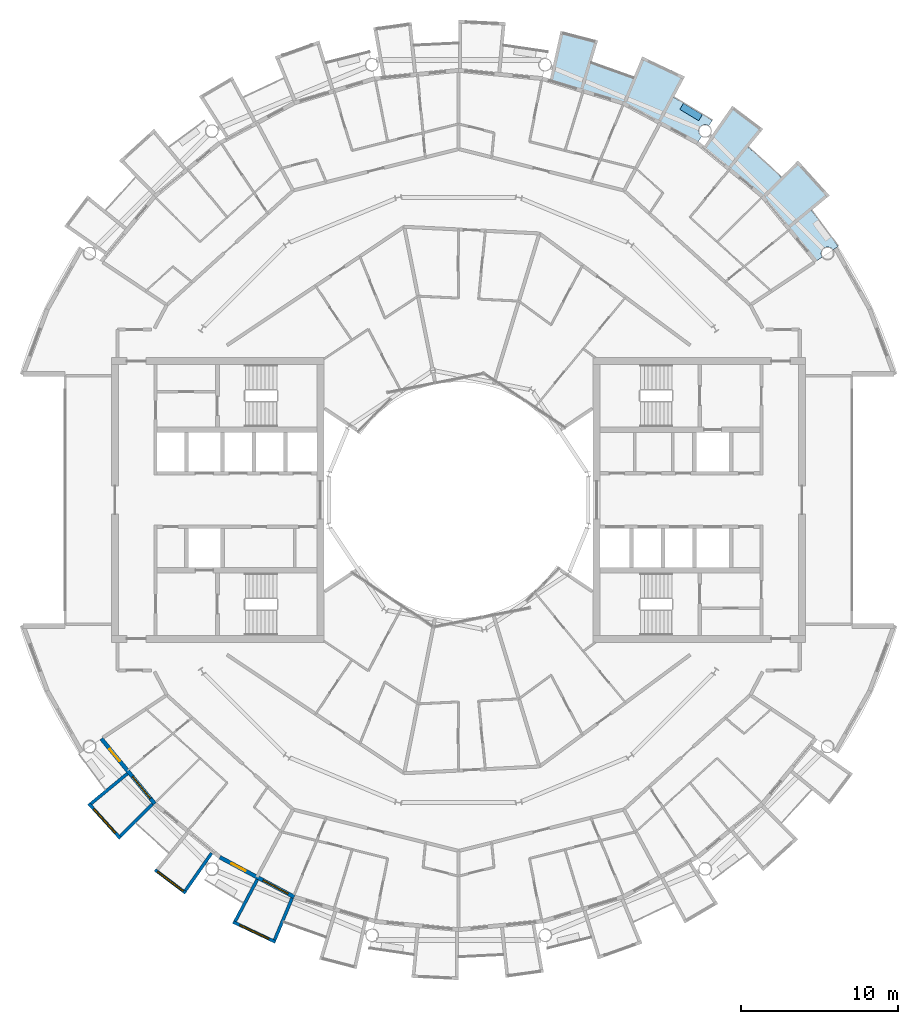
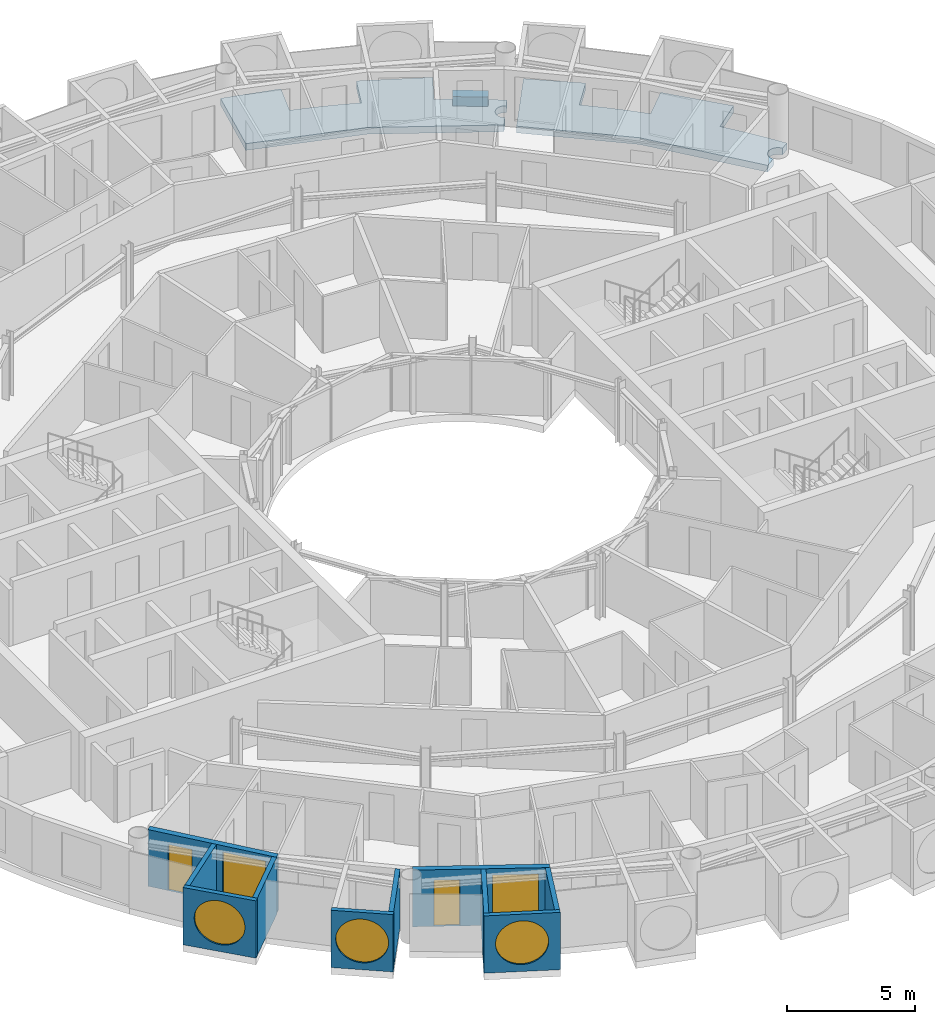
# One storey, part 14 of 29: 10 walls, 5 windows, 3 slabs, 2 doors, 7 openings.
"""IFC4 building model written with IfcOpenShell, lengths in metres."""

from ifc_helpers import new_model, si_unit, direction, frame, frame_2d, origin, place, context, subcontext, project, spatial, polyline, rectangle, circle, outline, extrude, material, layer, layer_set, type_object, element, fill, save


model = new_model("IFC4")

# Units and contexts
model_context = context("Model", 3, precision=1e-05, world=origin(), true_north=direction((0.0, 1.0)))
body_context = subcontext(model_context, "Body", "Model", "MODEL_VIEW")
ifc_project = project(units=[si_unit("LENGTHUNIT", "METRE"), si_unit("AREAUNIT", "SQUARE_METRE"), si_unit("VOLUMEUNIT", "CUBIC_METRE"), si_unit("PLANEANGLEUNIT", "RADIAN"), si_unit("MASSUNIT", "GRAM", prefix="KILO")], contexts=[model_context])

# Site, building, storey
site_placement = place(None, origin())
site = spatial("IfcSite", under=ifc_project, at=site_placement, CompositionType="ELEMENT")
building_placement = place(site_placement, origin())
building = spatial("IfcBuilding", under=site, at=building_placement, Name="Maasbend Ring Residences", CompositionType="ELEMENT")
storey_placement = place(building_placement, frame((0.0, 0.0, 190.199951171875)))
storey = spatial("IfcBuildingStorey", under=building, at=storey_placement, Name="L54", CompositionType="ELEMENT", Elevation=190.199951171875)

# Slabs
ifc_material_1 = material(Name="Planting with climbing greenery")
ifc_layer_1 = layer(ifc_material_1, 0.449951171875)
ifc_layer_set_1 = layer_set([ifc_layer_1], Name="PLANTER-LG")
slab_type_1 = type_object("IfcSlabType", Name="PLANTER-LG", PredefinedType="USERDEFINED", material=ifc_layer_set_1)
slab_1_placement = place(storey_placement, frame((0.0, 0.0, -0.030029296875)))
element("IfcSlab", 1, at=slab_1_placement, inside=storey, type_object=slab_type_1, Name="Planter with climbing greenery 2", ObjectType="PLANTER", PredefinedType="USERDEFINED", context=body_context, shape_type="SweptSolid", body=[
    extrude(outline(polyline([(15.490966796875, 24.48388671875), (14.291015625, 25.2041015625), (14.05908203125, 24.818115234375), (15.260009765625, 24.097900390625), (15.490966796875, 24.48388671875)])), origin(), (0.0, 0.0, 1.0), 0.4501953125),
])
ifc_material_2 = material(Name="Concrete C40/50", Category="concrete")
ifc_layer_2 = layer(ifc_material_2, 0.199951171875)
ifc_layer_set_2 = layer_set([ifc_layer_2], Name="Concrete C40/50")
slab_type_2 = type_object("IfcSlabType", Name="SL-LOGGIA", PredefinedType="FLOOR", material=ifc_layer_set_2)
slab_2_placement = place(storey_placement, frame((0.0, 0.0, -0.349853515625)))
element("IfcSlab", 2, at=slab_2_placement, inside=storey, type_object=slab_type_2, Name="Loggia floor 1", PredefinedType="FLOOR", context=body_context, shape_type="SweptSolid", body=[
    extrude(outline(polyline([(8.85400390625, 29.18701171875), (8.85400390625, 29.18701171875), (8.85400390625, 29.18701171875), (8.41796875, 27.751953125), (8.41796875, 27.751953125), (8.41796875, 27.751953125), (8.41796875, 27.751953125), (8.41796875, 27.751953125), (8.41796875, 27.751953125), (8.41796875, 27.7509765625), (8.41796875, 27.7509765625), (8.41796875, 27.7509765625), (8.41796875, 27.7509765625), (8.41796875, 27.7509765625), (8.4189453125, 27.7509765625), (8.4189453125, 27.7509765625), (8.4189453125, 27.7509765625), (8.4189453125, 27.7509765625), (8.4189453125, 27.7509765625), (8.4189453125, 27.7509765625), (9.322021484375, 27.4609375), (9.322021484375, 27.4609375), (10.215087890625, 27.14111328125), (10.215087890625, 27.14111328125), (11.096923828125, 26.79296875), (11.096923828125, 26.79296875), (11.096923828125, 26.79296875), (11.097900390625, 26.79296875), (11.097900390625, 26.79296875), (11.097900390625, 26.79296875), (11.097900390625, 26.79296875), (11.097900390625, 26.79296875), (11.097900390625, 26.79296875), (11.097900390625, 26.79296875), (11.097900390625, 26.79296875), (11.097900390625, 26.79296875), (11.097900390625, 26.79296875), (11.097900390625, 26.79296875), (11.097900390625, 26.79296875), (11.097900390625, 26.79296875), (11.097900390625, 26.79296875), (11.672119140625, 28.177978515625), (11.672119140625, 28.177978515625), (11.672119140625, 28.177978515625), (14.3779296875, 26.89892578125), (14.3779296875, 26.89892578125), (14.3779296875, 26.89892578125), (13.6708984375, 25.575927734375), (13.6708984375, 25.575927734375), (13.6708984375, 25.575927734375), (13.6708984375, 25.575927734375), (13.6708984375, 25.575927734375), (13.6708984375, 25.575927734375), (13.6708984375, 25.575927734375), (13.6708984375, 25.575927734375), (13.6708984375, 25.575927734375), (13.6708984375, 25.575927734375), (13.6708984375, 25.575927734375), (13.6708984375, 25.575927734375), (13.6708984375, 25.575927734375), (13.6708984375, 25.575927734375), (13.6708984375, 25.575927734375), (13.6708984375, 25.575927734375), (13.6708984375, 25.574951171875), (14.5, 25.114990234375), (14.5, 25.114990234375), (15.31396484375, 24.626953125), (15.31396484375, 24.626953125), (16.112060546875, 24.113037109375), (16.112060546875, 24.113037109375), (16.112060546875, 24.113037109375), (15.89306640625, 23.784912109375), (15.885009765625, 23.791015625), (15.8759765625, 23.7958984375), (15.866943359375, 23.801025390625), (15.85888671875, 23.805908203125), (15.85009765625, 23.81005859375), (15.841064453125, 23.81494140625), (15.83203125, 23.819091796875), (15.822998046875, 23.822998046875), (15.81298828125, 23.826904296875), (15.803955078125, 23.830078125), (15.794921875, 23.8330078125), (15.784912109375, 23.8359375), (15.77587890625, 23.839111328125), (15.76611328125, 23.842041015625), (15.756103515625, 23.843994140625), (15.74609375, 23.845947265625), (15.737060546875, 23.847900390625), (15.72705078125, 23.85009765625), (15.717041015625, 23.85107421875), (15.70703125, 23.85205078125), (15.697021484375, 23.85302734375), (15.68701171875, 23.85302734375), (15.677001953125, 23.85400390625), (15.6669921875, 23.85400390625), (15.656982421875, 23.85400390625), (15.64697265625, 23.85302734375), (15.636962890625, 23.85302734375), (15.626953125, 23.85205078125), (15.616943359375, 23.85107421875), (15.60693359375, 23.85009765625), (15.597900390625, 23.847900390625), (15.587890625, 23.845947265625), (15.577880859375, 23.843994140625), (15.568115234375, 23.842041015625), (15.55908203125, 23.839111328125), (15.549072265625, 23.8359375), (15.5400390625, 23.8330078125), (15.530029296875, 23.830078125), (15.52099609375, 23.826904296875), (15.511962890625, 23.822998046875), (15.501953125, 23.819091796875), (15.492919921875, 23.81494140625), (15.48388671875, 23.81005859375), (15.47509765625, 23.805908203125), (15.467041015625, 23.801025390625), (15.4580078125, 23.7958984375), (15.449951171875, 23.791015625), (15.44091796875, 23.784912109375), (15.43310546875, 23.780029296875), (15.425048828125, 23.77392578125), (15.4169921875, 23.76806640625), (15.408935546875, 23.761962890625), (15.402099609375, 23.7548828125), (15.39404296875, 23.7490234375), (15.386962890625, 23.741943359375), (15.3798828125, 23.735107421875), (15.373046875, 23.72802734375), (15.365966796875, 23.719970703125), (15.35888671875, 23.712890625), (15.35302734375, 23.705078125), (15.346923828125, 23.697021484375), (15.341064453125, 23.68994140625), (15.3349609375, 23.680908203125), (15.3291015625, 23.673095703125), (15.323974609375, 23.6650390625), (15.318115234375, 23.656005859375), (15.31298828125, 23.64794921875), (15.30908203125, 23.638916015625), (15.303955078125, 23.6298828125), (15.300048828125, 23.62109375), (15.294921875, 23.612060546875), (15.2919921875, 23.60302734375), (15.2880859375, 23.593994140625), (15.283935546875, 23.583984375), (15.281005859375, 23.574951171875), (15.278076171875, 23.56494140625), (15.27490234375, 23.555908203125), (15.27294921875, 23.5458984375), (15.27001953125, 23.535888671875), (15.26806640625, 23.527099609375), (15.26708984375, 23.51708984375), (15.264892578125, 23.507080078125), (15.263916015625, 23.4970703125), (15.262939453125, 23.487060546875), (15.261962890625, 23.47705078125), (15.260986328125, 23.467041015625), (15.260986328125, 23.45703125), (15.260986328125, 23.447021484375), (15.260986328125, 23.43701171875), (15.260986328125, 23.427001953125), (15.261962890625, 23.4169921875), (15.262939453125, 23.407958984375), (15.263916015625, 23.39794921875), (15.264892578125, 23.387939453125), (15.26708984375, 23.3779296875), (15.26806640625, 23.367919921875), (15.27001953125, 23.35791015625), (15.27294921875, 23.34912109375), (15.27490234375, 23.339111328125), (15.278076171875, 23.3291015625), (15.281005859375, 23.320068359375), (15.283935546875, 23.31005859375), (15.2880859375, 23.301025390625), (15.2919921875, 23.2919921875), (15.294921875, 23.282958984375), (15.300048828125, 23.27392578125), (15.303955078125, 23.264892578125), (15.30908203125, 23.256103515625), (15.31298828125, 23.2470703125), (15.318115234375, 23.238037109375), (15.323974609375, 23.22998046875), (15.3291015625, 23.221923828125), (15.3349609375, 23.212890625), (15.341064453125, 23.205078125), (15.346923828125, 23.197021484375), (15.35302734375, 23.18994140625), (15.35888671875, 23.181884765625), (15.365966796875, 23.174072265625), (15.373046875, 23.1669921875), (15.3798828125, 23.159912109375), (15.386962890625, 23.153076171875), (15.39404296875, 23.14599609375), (15.402099609375, 23.139892578125), (15.408935546875, 23.133056640625), (15.4169921875, 23.126953125), (15.425048828125, 23.12109375), (15.43310546875, 23.114990234375), (15.44091796875, 23.10888671875), (15.1669921875, 22.698974609375), (15.1669921875, 22.698974609375), (15.1669921875, 22.698974609375), (12.806884765625, 23.9609375), (10.447021484375, 25.221923828125), (10.447021484375, 25.221923828125), (10.447021484375, 25.221923828125), (7.886962890625, 25.9990234375), (5.797119140625, 26.633056640625), (5.797119140625, 26.633056640625), (5.797119140625, 26.633056640625), (6.487060546875, 29.802001953125), (6.487060546875, 29.802001953125), (6.487060546875, 29.802001953125), (8.85400390625, 29.18701171875)])), origin(), (0.0, 0.0, 1.0), 0.31982421875),
])
slab_3_placement = place(storey_placement, frame((0.0, 0.0, -0.349853515625)))
element("IfcSlab", 3, at=slab_3_placement, inside=storey, type_object=slab_type_2, Name="Loggia floor 4", PredefinedType="FLOOR", context=body_context, shape_type="SweptSolid", body=[
    extrude(outline(polyline([(19.34912109375, 23.576904296875), (19.34912109375, 23.576904296875), (19.34912109375, 23.576904296875), (18.39794921875, 22.41796875), (18.39794921875, 22.41796875), (18.39794921875, 22.41796875), (18.39794921875, 22.41796875), (18.39794921875, 22.41796875), (18.39794921875, 22.4169921875), (18.39794921875, 22.4169921875), (18.39794921875, 22.4169921875), (18.39794921875, 22.4169921875), (18.39794921875, 22.4169921875), (18.39794921875, 22.4169921875), (18.39794921875, 22.4169921875), (18.39794921875, 22.4169921875), (18.39794921875, 22.4169921875), (18.39794921875, 22.4169921875), (18.39794921875, 22.4169921875), (18.39794921875, 22.4169921875), (19.12109375, 21.802978515625), (19.12109375, 21.802978515625), (19.823974609375, 21.166015625), (19.823974609375, 21.166015625), (20.506103515625, 20.506103515625), (20.506103515625, 20.506103515625), (20.506103515625, 20.506103515625), (20.506103515625, 20.506103515625), (20.506103515625, 20.506103515625), (20.506103515625, 20.506103515625), (20.506103515625, 20.506103515625), (20.506103515625, 20.506103515625), (20.506103515625, 20.506103515625), (20.506103515625, 20.506103515625), (20.506103515625, 20.506103515625), (20.506103515625, 20.506103515625), (20.506103515625, 20.506103515625), (20.506103515625, 20.506103515625), (20.506103515625, 20.506103515625), (20.506103515625, 20.506103515625), (20.506103515625, 20.506103515625), (21.56689453125, 21.56689453125), (21.56689453125, 21.56689453125), (21.56689453125, 21.56689453125), (23.576904296875, 19.34912109375), (23.576904296875, 19.34912109375), (23.576904296875, 19.34912109375), (22.41796875, 18.39794921875), (22.41796875, 18.39794921875), (22.41796875, 18.39794921875), (22.41796875, 18.39794921875), (22.41796875, 18.39794921875), (22.41796875, 18.39794921875), (22.41796875, 18.39697265625), (22.41796875, 18.39697265625), (22.41796875, 18.39697265625), (22.41796875, 18.39697265625), (22.41796875, 18.39697265625), (22.41796875, 18.39697265625), (22.41796875, 18.39697265625), (22.41796875, 18.39697265625), (22.41796875, 18.39697265625), (22.41796875, 18.39697265625), (22.41796875, 18.39697265625), (23.007080078125, 17.654052734375), (23.007080078125, 17.654052734375), (23.572998046875, 16.89208984375), (23.572998046875, 16.89208984375), (24.113037109375, 16.112060546875), (24.113037109375, 16.112060546875), (24.113037109375, 16.112060546875), (23.784912109375, 15.89306640625), (23.784912109375, 15.89306640625), (23.780029296875, 15.90087890625), (23.77392578125, 15.908935546875), (23.76806640625, 15.9169921875), (23.761962890625, 15.925048828125), (23.7548828125, 15.93310546875), (23.7490234375, 15.93994140625), (23.741943359375, 15.947021484375), (23.735107421875, 15.955078125), (23.72802734375, 15.9619140625), (23.719970703125, 15.968017578125), (23.712890625, 15.97509765625), (23.705078125, 15.98095703125), (23.697021484375, 15.988037109375), (23.68994140625, 15.993896484375), (23.680908203125, 15.9990234375), (23.673095703125, 16.0048828125), (23.6650390625, 16.010986328125), (23.656005859375, 16.01611328125), (23.64794921875, 16.02099609375), (23.638916015625, 16.02587890625), (23.6298828125, 16.030029296875), (23.62109375, 16.034912109375), (23.612060546875, 16.0390625), (23.60302734375, 16.04296875), (23.593994140625, 16.0458984375), (23.583984375, 16.050048828125), (23.574951171875, 16.052978515625), (23.56494140625, 16.055908203125), (23.555908203125, 16.05908203125), (23.5458984375, 16.06103515625), (23.535888671875, 16.06396484375), (23.527099609375, 16.06591796875), (23.51708984375, 16.068115234375), (23.507080078125, 16.069091796875), (23.4970703125, 16.071044921875), (23.487060546875, 16.072021484375), (23.47705078125, 16.072021484375), (23.467041015625, 16.072998046875), (23.45703125, 16.072998046875), (23.447021484375, 16.073974609375), (23.43701171875, 16.072998046875), (23.427001953125, 16.072998046875), (23.4169921875, 16.072021484375), (23.407958984375, 16.072021484375), (23.39794921875, 16.071044921875), (23.387939453125, 16.069091796875), (23.3779296875, 16.068115234375), (23.367919921875, 16.06591796875), (23.35791015625, 16.06396484375), (23.34912109375, 16.06103515625), (23.339111328125, 16.05908203125), (23.3291015625, 16.055908203125), (23.320068359375, 16.052978515625), (23.31005859375, 16.050048828125), (23.301025390625, 16.0458984375), (23.2919921875, 16.04296875), (23.282958984375, 16.0390625), (23.27392578125, 16.034912109375), (23.264892578125, 16.030029296875), (23.256103515625, 16.02587890625), (23.2470703125, 16.02099609375), (23.238037109375, 16.01611328125), (23.22998046875, 16.010986328125), (23.221923828125, 16.0048828125), (23.212890625, 15.9990234375), (23.205078125, 15.993896484375), (23.197021484375, 15.988037109375), (23.18994140625, 15.98095703125), (23.181884765625, 15.97509765625), (23.174072265625, 15.968017578125), (23.1669921875, 15.9619140625), (23.159912109375, 15.955078125), (23.153076171875, 15.947021484375), (23.14599609375, 15.93994140625), (23.139892578125, 15.93310546875), (23.133056640625, 15.925048828125), (23.126953125, 15.9169921875), (23.12109375, 15.908935546875), (23.114990234375, 15.90087890625), (23.10888671875, 15.89306640625), (23.10400390625, 15.885009765625), (23.09912109375, 15.8759765625), (23.093994140625, 15.866943359375), (23.089111328125, 15.85888671875), (23.083984375, 15.85009765625), (23.080078125, 15.841064453125), (23.075927734375, 15.83203125), (23.072021484375, 15.822998046875), (23.068115234375, 15.81298828125), (23.06494140625, 15.803955078125), (23.06103515625, 15.794921875), (23.05810546875, 15.784912109375), (23.055908203125, 15.77587890625), (23.052978515625, 15.76611328125), (23.051025390625, 15.756103515625), (23.049072265625, 15.74609375), (23.047119140625, 15.737060546875), (23.044921875, 15.72705078125), (23.0439453125, 15.717041015625), (23.04296875, 15.70703125), (23.0419921875, 15.697021484375), (23.041015625, 15.68701171875), (23.041015625, 15.677001953125), (23.041015625, 15.6669921875), (23.041015625, 15.656982421875), (23.041015625, 15.64697265625), (23.0419921875, 15.636962890625), (23.04296875, 15.626953125), (23.0439453125, 15.616943359375), (23.044921875, 15.60693359375), (23.047119140625, 15.597900390625), (23.049072265625, 15.587890625), (23.051025390625, 15.577880859375), (23.052978515625, 15.568115234375), (23.055908203125, 15.55908203125), (23.05810546875, 15.549072265625), (23.06103515625, 15.5400390625), (23.06494140625, 15.530029296875), (23.068115234375, 15.52099609375), (23.072021484375, 15.511962890625), (23.075927734375, 15.501953125), (23.080078125, 15.492919921875), (23.083984375, 15.48388671875), (23.089111328125, 15.47509765625), (23.093994140625, 15.467041015625), (23.09912109375, 15.4580078125), (23.10400390625, 15.449951171875), (23.10888671875, 15.44091796875), (23.10888671875, 15.44091796875), (22.698974609375, 15.1669921875), (22.698974609375, 15.1669921875), (22.698974609375, 15.1669921875), (21.001953125, 17.236083984375), (19.303955078125, 19.303955078125), (19.303955078125, 19.303955078125), (19.303955078125, 19.303955078125), (17.236083984375, 21.001953125), (15.547119140625, 22.386962890625), (15.547119140625, 22.386962890625), (15.547119140625, 22.386962890625), (17.39794921875, 25.051025390625), (17.39794921875, 25.051025390625), (17.39794921875, 25.051025390625), (19.34912109375, 23.576904296875)])), origin(), (0.0, 0.0, 1.0), 0.31982421875),
])

# Wall, opening, window
ifc_material_3 = material(Name="Pale anodised aluminium panel", Category="aluminium")
ifc_layer_3 = layer(ifc_material_3, 0.199951171875)
ifc_layer_set_3 = layer_set([ifc_layer_3], Name="EW-BOX")
wall_type_1 = type_object("IfcWallType", Name="EW-BOX", PredefinedType="SOLIDWALL", material=ifc_layer_set_3)
wall_1_placement = place(storey_placement, frame((-23.5029296875, -19.281982421875, -0.030029296875), z_axis=(0.0, 0.0, 1.0), x_axis=(0.671506829416, -0.740998365753, 0.0)))
wall_1 = element("IfcWall", 4, at=wall_1_placement, inside=storey, type_object=wall_type_1, Name="Box front S02", PredefinedType="SOLIDWALL", context=body_context, shape_type="SweptSolid", body=[
    extrude(rectangle(XDim=2.9931640625, YDim=0.199951171875, at=frame_2d((1.49658203125, 0.0))), origin(), (0.0, 0.0, 1.0), 2.72998046875),
])
opening_1_placement = place(wall_1_placement, frame((0.45654296875, 0.0, 0.330078125)))
opening_1 = element("IfcOpeningElement", 5, at=opening_1_placement, cuts=wall_1, Name="Opening W-RD", PredefinedType="OPENING", context=body_context, shape_type="SweptSolid", body=[
    extrude(circle(Radius=1.0400390625, at=frame_2d((1.0400390625, 1.0400390625))), frame((0.0, 0.10986328125, 0.0), z_axis=(0.0, -1.0, 0.0), x_axis=(1.0, 0.0, 0.0)), (0.0, 0.0, 1.0), 0.219970703125),
])
ifc_material_4 = material(Name="Aluminium and clear glass", Category="aluminium")
window_type_1 = type_object("IfcWindowType", Name="W-RD", PartitioningType="SINGLE_PANEL", PredefinedType="WINDOW", material=ifc_material_4)
window_1_placement = place(opening_1_placement, origin())
window_1 = element("IfcWindow", 6, at=window_1_placement, inside=storey, type_object=window_type_1, Name="Round window S02", OverallHeight=2.080078125, OverallWidth=2.080078125, PartitioningType="SINGLE_PANEL", PredefinedType="WINDOW", context=body_context, shape_type="SweptSolid", body=[
    extrude(circle(Radius=1.0400390625, at=frame_2d((1.0400390625, 1.0400390625))), frame((0.0, 0.030029296875, 0.0), z_axis=(0.0, -1.0, 0.0), x_axis=(1.0, 0.0, 0.0)), (0.0, 0.0, 1.0), 0.06005859375),
])
fill(opening_1, window_1)

# Walls
wall_2_placement = place(storey_placement, frame((-21.041015625, -17.384033203125, -0.030029296875), z_axis=(0.0, 0.0, 1.0), x_axis=(-0.770784861449, -0.63709551667, 0.0)))
element("IfcWall", 7, at=wall_2_placement, inside=storey, type_object=wall_type_1, Name="Box side wall S02 left", PredefinedType="SOLIDWALL", context=body_context, shape_type="SweptSolid", body=[
    extrude(rectangle(XDim=3.005859375, YDim=0.199951171875, at=frame_2d((1.5029296875, 0.0))), origin(), (0.0, 0.0, 1.0), 2.72998046875),
])
wall_3_placement = place(storey_placement, frame((-19.449951171875, -19.322998046875, -0.030029296875), z_axis=(0.0, 0.0, 1.0), x_axis=(-0.709727076896, -0.704476739375, 0.0)))
element("IfcWall", 8, at=wall_3_placement, inside=storey, type_object=wall_type_1, Name="Box side wall S02 right", PredefinedType="SOLIDWALL", context=body_context, shape_type="SweptSolid", body=[
    extrude(rectangle(XDim=2.883056640625, YDim=0.199951171875, at=frame_2d((1.44140625, 0.0))), origin(), (0.0, 0.0, 1.0), 2.72998046875),
])

# Wall, opening, window
wall_4_placement = place(storey_placement, frame((-19.2890625, -23.4970703125, -0.030029296875), z_axis=(0.0, 0.0, 1.0), x_axis=(0.797887588059, -0.602806268067, 0.0)))
wall_4 = element("IfcWall", 9, at=wall_4_placement, inside=storey, type_object=wall_type_1, Name="Box front S04", PredefinedType="SOLIDWALL", context=body_context, shape_type="SweptSolid", body=[
    extrude(rectangle(XDim=2.446533203125, YDim=0.199951171875, at=frame_2d((1.22314453125, 0.0))), origin(), (0.0, 0.0, 1.0), 2.72998046875),
])
opening_2_placement = place(wall_4_placement, frame((0.182861328125, 0.0, 0.330078125)))
opening_2 = element("IfcOpeningElement", 10, at=opening_2_placement, cuts=wall_4, Name="Opening W-RD", PredefinedType="OPENING", context=body_context, shape_type="SweptSolid", body=[
    extrude(circle(Radius=1.0400390625, at=frame_2d((1.0400390625, 1.0400390625))), frame((0.0, 0.10986328125, 0.0), z_axis=(0.0, -1.0, 0.0), x_axis=(1.0, 0.0, 0.0)), (0.0, 0.0, 1.0), 0.219970703125),
])
window_2_placement = place(opening_2_placement, origin())
window_2 = element("IfcWindow", 11, at=window_2_placement, inside=storey, type_object=window_type_1, Name="Round window S04", OverallHeight=2.080078125, OverallWidth=2.080078125, PartitioningType="SINGLE_PANEL", PredefinedType="WINDOW", context=body_context, shape_type="SweptSolid", body=[
    extrude(circle(Radius=1.0400390625, at=frame_2d((1.0400390625, 1.0400390625))), frame((0.0, 0.030029296875, 0.0), z_axis=(0.0, -1.0, 0.0), x_axis=(1.0, 0.0, 0.0)), (0.0, 0.0, 1.0), 0.06005859375),
])
fill(opening_2, window_2)

# Wall
wall_5_placement = place(storey_placement, frame((-15.68798828125, -22.43310546875, -0.030029296875), z_axis=(0.0, 0.0, 1.0), x_axis=(-0.573260687834, -0.819373043115, 0.0)))
element("IfcWall", 12, at=wall_5_placement, inside=storey, type_object=wall_type_1, Name="Box side wall S04 right", PredefinedType="SOLIDWALL", context=body_context, shape_type="SweptSolid", body=[
    extrude(rectangle(XDim=2.92529296875, YDim=0.199951171875, at=frame_2d((1.462646484375, 0.0))), origin(), (0.0, 0.0, 1.0), 2.72998046875),
])

# Wall, opening, window
wall_6_placement = place(storey_placement, frame((-14.3349609375, -26.80810546875, -0.030029296875), z_axis=(0.0, 0.0, 1.0), x_axis=(0.904000060331, -0.427532327342, 0.0)))
wall_6 = element("IfcWall", 13, at=wall_6_placement, inside=storey, type_object=wall_type_1, Name="Box front S06", PredefinedType="SOLIDWALL", context=body_context, shape_type="SweptSolid", body=[
    extrude(rectangle(XDim=2.993408203125, YDim=0.199951171875, at=frame_2d((1.49658203125, 0.0))), origin(), (0.0, 0.0, 1.0), 2.72998046875),
])
opening_3_placement = place(wall_6_placement, frame((0.45654296875, 0.0, 0.330078125)))
opening_3 = element("IfcOpeningElement", 14, at=opening_3_placement, cuts=wall_6, Name="Opening W-RD", PredefinedType="OPENING", context=body_context, shape_type="SweptSolid", body=[
    extrude(circle(Radius=1.0400390625, at=frame_2d((1.0400390625, 1.0400390625))), frame((0.0, 0.10986328125, 0.0), z_axis=(0.0, -1.0, 0.0), x_axis=(1.0, 0.0, 0.0)), (0.0, 0.0, 1.0), 0.219970703125),
])
window_3_placement = place(opening_3_placement, origin())
window_3 = element("IfcWindow", 15, at=window_3_placement, inside=storey, type_object=window_type_1, Name="Round window S06", OverallHeight=2.080078125, OverallWidth=2.080078125, PartitioningType="SINGLE_PANEL", PredefinedType="WINDOW", context=body_context, shape_type="SweptSolid", body=[
    extrude(circle(Radius=1.0400390625, at=frame_2d((1.0400390625, 1.0400390625))), frame((0.0, 0.030029296875, 0.0), z_axis=(0.0, -1.0, 0.0), x_axis=(1.0, 0.0, 0.0)), (0.0, 0.0, 1.0), 0.06005859375),
])
fill(opening_3, window_3)

# Walls
wall_7_placement = place(storey_placement, frame((-12.787109375, -24.113037109375, -0.030029296875), z_axis=(0.0, 0.0, 1.0), x_axis=(-0.468365282436, -0.883534924159, 0.0)))
element("IfcWall", 16, at=wall_7_placement, inside=storey, type_object=wall_type_1, Name="Box side wall S06 left", PredefinedType="SOLIDWALL", context=body_context, shape_type="SweptSolid", body=[
    extrude(rectangle(XDim=3.006103515625, YDim=0.199951171875, at=frame_2d((1.5029296875, 0.0))), origin(), (0.0, 0.0, 1.0), 2.72998046875),
])
wall_8_placement = place(storey_placement, frame((-10.574951171875, -25.294921875, -0.030029296875), z_axis=(0.0, 0.0, 1.0), x_axis=(-0.385697364644, -0.922625353492, 0.0)))
element("IfcWall", 17, at=wall_8_placement, inside=storey, type_object=wall_type_1, Name="Box side wall S06 right", PredefinedType="SOLIDWALL", context=body_context, shape_type="SweptSolid", body=[
    extrude(rectangle(XDim=2.88330078125, YDim=0.199951171875, at=frame_2d((1.441650390625, 0.0))), origin(), (0.0, 0.0, 1.0), 2.72998046875),
])

# Wall, openings, door, window
ifc_material_5 = material(Name="Aluminium clad insulated panel", Category="aluminium")
ifc_layer_4 = layer(ifc_material_5, 0.25)
ifc_layer_set_4 = layer_set([ifc_layer_4], Name="EW-GL")
wall_type_2 = type_object("IfcWallType", Name="EW-GL", PredefinedType="SOLIDWALL", material=ifc_layer_set_4)
wall_9_placement = place(storey_placement, frame((-22.698974609375, -15.1669921875, 0.0), z_axis=(0.0, 0.0, 1.0), x_axis=(0.634382322723, -0.773019449054, 0.0)))
wall_9 = element("IfcWall", 18, at=wall_9_placement, inside=storey, type_object=wall_type_2, Name="External wall S01", PredefinedType="SOLIDWALL", context=body_context, shape_type="SweptSolid", body=[
    extrude(rectangle(XDim=5.351806640625, YDim=0.25, at=frame_2d((2.67578125, 0.0))), origin(), (0.0, 0.0, 1.0), 2.699951171875),
])
opening_4_placement = place(wall_9_placement, frame((0.841064453125, 0.0, 0.0)))
opening_4 = element("IfcOpeningElement", 19, at=opening_4_placement, cuts=wall_9, Name="Opening D-LG", PredefinedType="OPENING", context=body_context, shape_type="SweptSolid", body=[
    extrude(rectangle(XDim=1.0, YDim=2.199951171875, at=frame_2d((0.5, 1.10009765625))), frame((0.0, 0.135009765625, 0.0), z_axis=(0.0, -1.0, 0.0), x_axis=(1.0, 0.0, 0.0)), (0.0, 0.0, 1.0), 0.27001953125),
])
opening_5_placement = place(wall_9_placement, frame((3.110595703125, 0.0, 0.300048828125)))
opening_5 = element("IfcOpeningElement", 20, at=opening_5_placement, cuts=wall_9, Name="Opening W-BX", PredefinedType="OPENING", context=body_context, shape_type="SweptSolid", body=[
    extrude(rectangle(XDim=1.800048828125, YDim=2.10009765625, at=frame_2d((0.89990234375, 1.050048828125))), frame((0.0, 0.135009765625, 0.0), z_axis=(0.0, -1.0, 0.0), x_axis=(1.0, 0.0, 0.0)), (0.0, 0.0, 1.0), 0.27001953125),
])
ifc_material_6 = material(Name="Aluminium and clear glass", Category="aluminium")
door_type = type_object("IfcDoorType", Name="D-LG", OperationType="SINGLE_SWING_LEFT", PredefinedType="DOOR", material=ifc_material_6)
door_1_placement = place(opening_4_placement, origin())
door_1 = element("IfcDoor", 21, at=door_1_placement, inside=storey, type_object=door_type, Name="Loggia door S01", OperationType="SINGLE_SWING_LEFT", OverallHeight=2.199951171875, OverallWidth=1.0, PredefinedType="DOOR", context=body_context, shape_type="SweptSolid", body=[
    extrude(rectangle(XDim=1.0, YDim=2.199951171875, at=frame_2d((0.5, 1.10009765625))), frame((0.0, 0.02490234375, 0.0), z_axis=(0.0, -1.0, 0.0), x_axis=(1.0, 0.0, 0.0)), (0.0, 0.0, 1.0), 0.050048828125),
])
fill(opening_4, door_1)
ifc_material_7 = material(Name="Aluminium and clear glass", Category="aluminium")
window_type_2 = type_object("IfcWindowType", Name="W-BX", PartitioningType="DOUBLE_PANEL_VERTICAL", PredefinedType="WINDOW", material=ifc_material_7)
window_4_placement = place(opening_5_placement, origin())
window_4 = element("IfcWindow", 22, at=window_4_placement, inside=storey, type_object=window_type_2, Name="Window S02 room to box", OverallHeight=2.10009765625, OverallWidth=1.800048828125, PartitioningType="SINGLE_PANEL", PredefinedType="WINDOW", context=body_context, shape_type="SweptSolid", body=[
    extrude(rectangle(XDim=1.800048828125, YDim=2.10009765625, at=frame_2d((0.89990234375, 1.050048828125))), frame((0.0, 0.030029296875, 0.0), z_axis=(0.0, -1.0, 0.0), x_axis=(1.0, 0.0, 0.0)), (0.0, 0.0, 1.0), 0.06005859375),
])
fill(opening_5, window_4)

wall_10_placement = place(storey_placement, frame((-15.1669921875, -22.698974609375, 0.0), z_axis=(0.0, 0.0, 1.0), x_axis=(0.881915646801, -0.471407246368, 0.0)))
wall_10 = element("IfcWall", 23, at=wall_10_placement, inside=storey, type_object=wall_type_2, Name="External wall S03", PredefinedType="SOLIDWALL", context=body_context, shape_type="SweptSolid", body=[
    extrude(rectangle(XDim=5.35205078125, YDim=0.25, at=frame_2d((2.676025390625, 0.0))), origin(), (0.0, 0.0, 1.0), 2.699951171875),
])
opening_6_placement = place(wall_10_placement, frame((0.841064453125, 0.0, 0.0)))
opening_6 = element("IfcOpeningElement", 24, at=opening_6_placement, cuts=wall_10, Name="Opening D-LG", PredefinedType="OPENING", context=body_context, shape_type="SweptSolid", body=[
    extrude(rectangle(XDim=1.0, YDim=2.199951171875, at=frame_2d((0.5, 1.10009765625))), frame((0.0, 0.135009765625, 0.0), z_axis=(0.0, -1.0, 0.0), x_axis=(1.0, 0.0, 0.0)), (0.0, 0.0, 1.0), 0.27001953125),
])
opening_7_placement = place(wall_10_placement, frame((3.110595703125, 0.0, 0.300048828125)))
opening_7 = element("IfcOpeningElement", 25, at=opening_7_placement, cuts=wall_10, Name="Opening W-BX", PredefinedType="OPENING", context=body_context, shape_type="SweptSolid", body=[
    extrude(rectangle(XDim=1.800048828125, YDim=2.10009765625, at=frame_2d((0.89990234375, 1.050048828125))), frame((0.0, 0.135009765625, 0.0), z_axis=(0.0, -1.0, 0.0), x_axis=(1.0, 0.0, 0.0)), (0.0, 0.0, 1.0), 0.27001953125),
])
door_2_placement = place(opening_6_placement, origin())
door_2 = element("IfcDoor", 26, at=door_2_placement, inside=storey, type_object=door_type, Name="Loggia door S05", OperationType="SINGLE_SWING_LEFT", OverallHeight=2.199951171875, OverallWidth=1.0, PredefinedType="DOOR", context=body_context, shape_type="SweptSolid", body=[
    extrude(rectangle(XDim=1.0, YDim=2.199951171875, at=frame_2d((0.5, 1.10009765625))), frame((0.0, 0.02490234375, 0.0), z_axis=(0.0, -1.0, 0.0), x_axis=(1.0, 0.0, 0.0)), (0.0, 0.0, 1.0), 0.050048828125),
])
fill(opening_6, door_2)
window_5_placement = place(opening_7_placement, origin())
window_5 = element("IfcWindow", 27, at=window_5_placement, inside=storey, type_object=window_type_2, Name="Window S06 room to box", OverallHeight=2.10009765625, OverallWidth=1.800048828125, PartitioningType="SINGLE_PANEL", PredefinedType="WINDOW", context=body_context, shape_type="SweptSolid", body=[
    extrude(rectangle(XDim=1.800048828125, YDim=2.10009765625, at=frame_2d((0.89990234375, 1.050048828125))), frame((0.0, 0.030029296875, 0.0), z_axis=(0.0, -1.0, 0.0), x_axis=(1.0, 0.0, 0.0)), (0.0, 0.0, 1.0), 0.06005859375),
])
fill(opening_7, window_5)

save(model, "model.ifc")
